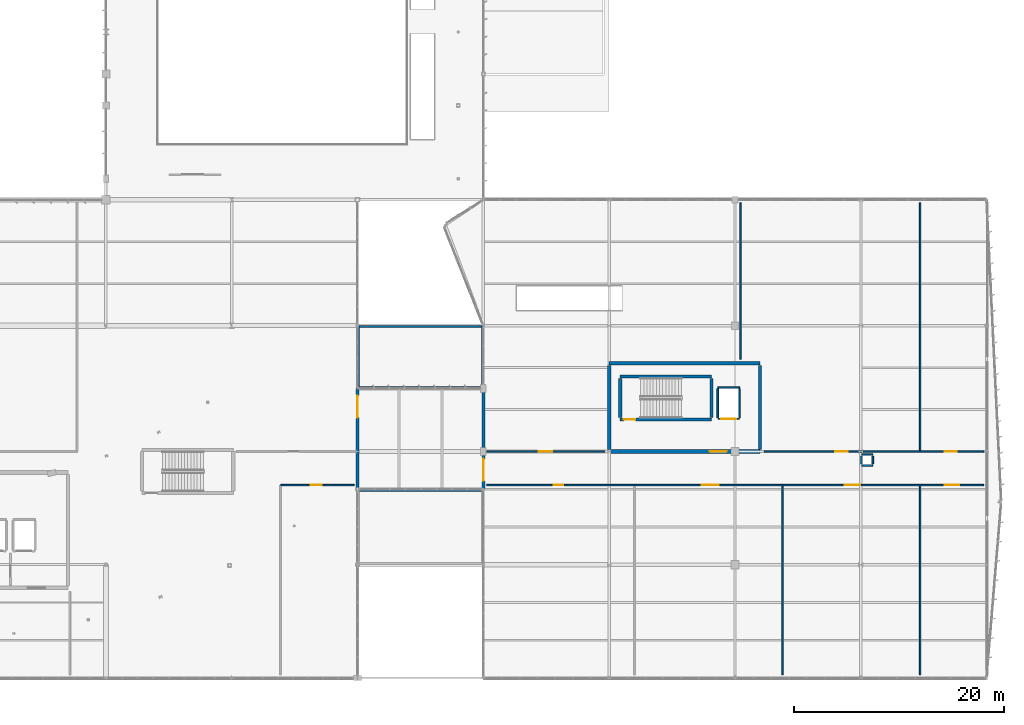
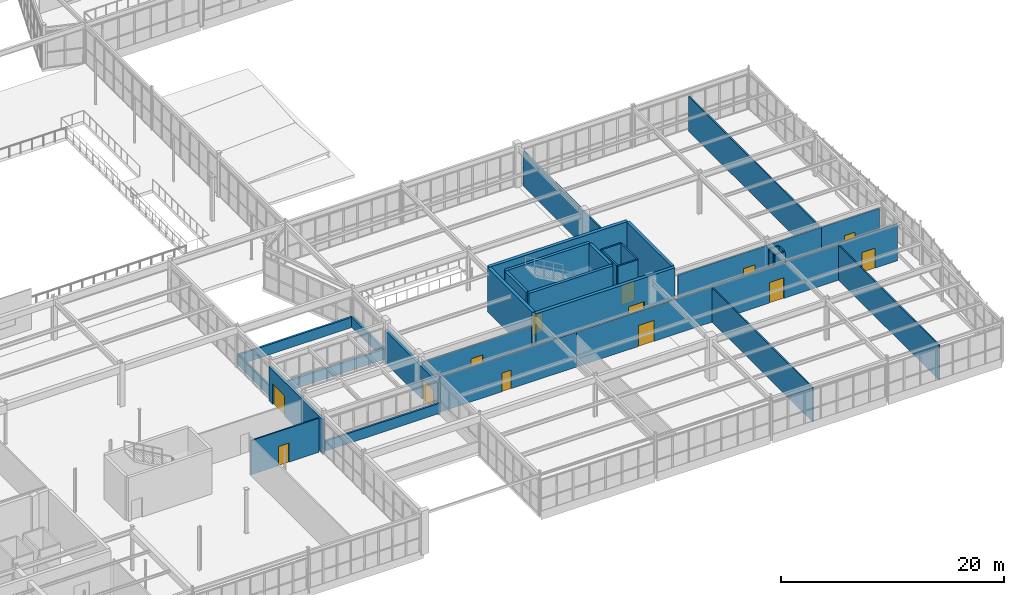
# One storey, part 197 of 226: 35 walls, 13 doors, 13 openings.
"""IFC4 building model written with IfcOpenShell, lengths in metres."""

from ifc_helpers import new_model, si_unit, direction, frame, frame_2d, origin, place, context, subcontext, project, spatial, rectangle, extrude, material, layer, layer_set, type_object, element, fill, save


model = new_model("IFC4")

# Units and contexts
model_context = context("Model", 3, precision=1e-05, world=origin(), true_north=direction((0.0, 1.0)))
body_context = subcontext(model_context, "Body", "Model", "MODEL_VIEW")
ifc_project = project(units=[si_unit("LENGTHUNIT", "METRE"), si_unit("AREAUNIT", "SQUARE_METRE"), si_unit("VOLUMEUNIT", "CUBIC_METRE"), si_unit("PLANEANGLEUNIT", "RADIAN"), si_unit("MASSUNIT", "GRAM", prefix="KILO")], contexts=[model_context])

# Site, building, storey
site_placement = place(None, origin())
site = spatial("IfcSite", under=ifc_project, at=site_placement, CompositionType="ELEMENT")
building_placement = place(site_placement, origin())
building = spatial("IfcBuilding", under=site, at=building_placement, Name="Tarnwether General Hospital", CompositionType="ELEMENT")
storey_placement = place(building_placement, frame((0.0, 0.0, 4.800048828125)))
storey = spatial("IfcBuildingStorey", under=building, at=storey_placement, Name="L01", CompositionType="ELEMENT", Elevation=4.800048828125)

# Wall, opening, door
ifc_material_1 = material(Name="Precast concrete 40 MPa", Category="concrete")
ifc_layer_1 = layer(ifc_material_1, 0.280029296875)
ifc_layer_set_1 = layer_set([ifc_layer_1], Name="Precast concrete 40 MPa")
wall_type_1 = type_object("IfcWallType", Name="WL-EX280", PredefinedType="STANDARD", material=ifc_layer_set_1)
wall_1_placement = place(storey_placement, frame((132.0, 27.60009765625, 0.0), z_axis=(0.0, 0.0, 1.0), x_axis=(0.0, -1.0, 0.0)))
wall_1 = element("IfcWall", 1, at=wall_1_placement, inside=storey, type_object=wall_type_1, Name="L01 Bridge West Threshold EW-L01-0309", PredefinedType="STANDARD", context=body_context, shape_type="SweptSolid", body=[
    extrude(rectangle(XDim=9.60009765625, YDim=0.280029296875, at=frame_2d((4.800048828125, 0.0))), origin(), (0.0, 0.0, 1.0), 3.738037109375),
])
opening_1_placement = place(wall_1_placement, frame((0.680908203125, 0.0, 0.0)))
opening_1 = element("IfcOpeningElement", 2, at=opening_1_placement, cuts=wall_1, Name="Opening ED-09", PredefinedType="OPENING", context=body_context, shape_type="SweptSolid", body=[
    extrude(rectangle(XDim=2.10009765625, YDim=2.25, at=frame_2d((1.050048828125, 1.125))), frame((0.0, 0.14990234375, 0.0), z_axis=(0.0, -1.0, 0.0), x_axis=(1.0, 0.0, 0.0)), (0.0, 0.0, 1.0), 0.300048828125),
])
ifc_material_2 = material(Name="Anodised aluminium", Category="aluminium")
door_type_1 = type_object("IfcDoorType", Name="DR-HP01", OperationType="NOTDEFINED", PredefinedType="DOOR", material=ifc_material_2)
door_1_placement = place(opening_1_placement, origin())
door_1 = element("IfcDoor", 3, at=door_1_placement, inside=storey, type_object=door_type_1, Name="L01 Bridge West Door ED-L01-0037", OperationType="DOUBLE_DOOR_SINGLE_SWING", OverallHeight=2.25, OverallWidth=2.10009765625, PredefinedType="DOOR", context=body_context, shape_type="SweptSolid", body=[
    extrude(rectangle(XDim=2.10009765625, YDim=2.25, at=frame_2d((1.050048828125, 1.125))), frame((0.0, 0.02490234375, 0.0), z_axis=(0.0, -1.0, 0.0), x_axis=(1.0, 0.0, 0.0)), (0.0, 0.0, 1.0), 0.050048828125),
])
fill(opening_1, door_1)

wall_2_placement = place(storey_placement, frame((144.0, 18.0, 0.0), z_axis=(0.0, 0.0, 1.0), x_axis=(0.0, 1.0, 0.0)))
wall_2 = element("IfcWall", 4, at=wall_2_placement, inside=storey, type_object=wall_type_1, Name="L01 Bridge East Threshold EW-L01-0310", PredefinedType="STANDARD", context=body_context, shape_type="SweptSolid", body=[
    extrude(rectangle(XDim=9.60009765625, YDim=0.280029296875, at=frame_2d((4.800048828125, 0.0))), origin(), (0.0, 0.0, 1.0), 3.530029296875),
])
opening_2_placement = place(wall_2_placement, frame((0.800048828125, 0.0, 0.0)))
opening_2 = element("IfcOpeningElement", 5, at=opening_2_placement, cuts=wall_2, Name="Opening ED-09", PredefinedType="OPENING", context=body_context, shape_type="SweptSolid", body=[
    extrude(rectangle(XDim=2.10009765625, YDim=2.25, at=frame_2d((1.050048828125, 1.125))), frame((0.0, 0.14990234375, 0.0), z_axis=(0.0, -1.0, 0.0), x_axis=(1.0, 0.0, 0.0)), (0.0, 0.0, 1.0), 0.300048828125),
])
door_2_placement = place(opening_2_placement, origin())
door_2 = element("IfcDoor", 6, at=door_2_placement, inside=storey, type_object=door_type_1, Name="L01 Bridge East Door ED-L01-0038", OperationType="DOUBLE_DOOR_SINGLE_SWING", OverallHeight=2.25, OverallWidth=2.10009765625, PredefinedType="DOOR", context=body_context, shape_type="SweptSolid", body=[
    extrude(rectangle(XDim=2.10009765625, YDim=2.25, at=frame_2d((1.050048828125, 1.125))), frame((0.0, 0.02490234375, 0.0), z_axis=(0.0, -1.0, 0.0), x_axis=(1.0, 0.0, 0.0)), (0.0, 0.0, 1.0), 0.050048828125),
])
fill(opening_2, door_2)

# Walls
ifc_material_3 = material(Name="Precast concrete 40 MPa", Category="concrete")
ifc_layer_2 = layer(ifc_material_3, 0.199951171875)
ifc_layer_set_2 = layer_set([ifc_layer_2], Name="Precast concrete 40 MPa")
wall_type_2 = type_object("IfcWallType", Name="WL-PR200", PredefinedType="PARAPET", material=ifc_layer_set_2)
for number, where, z_axis, x_axis, name in (
    (7, (132.10009765625, 17.89990234375, 0.31005859375), (0.0, 0.0, 1.0), (1.0, 0.0, 0.0), "Flat Roof Parapet EW-L01-0331"),
    (8, (143.89990234375, 27.699951171875, 0.31005859375), (0.0, 0.0, 1.0), (-1.0, 0.0, 0.0), "Flat Roof Parapet EW-L01-0333"),
):
    element("IfcWall", number, at=place(storey_placement, frame(where, z_axis=z_axis, x_axis=x_axis)), inside=storey, type_object=wall_type_2, Name=name, PredefinedType="PARAPET", context=body_context, shape_type="SweptSolid", body=[
        extrude(rectangle(XDim=11.7998046875, YDim=0.199951171875, at=frame_2d((5.89990234375, 0.0))), origin(), (0.0, 0.0, 1.0), 1.119873046875),
    ])
wall_3_placement = place(storey_placement, frame((132.10009765625, 27.699951171875, 0.31005859375), z_axis=(0.0, 0.0, 1.0), x_axis=(0.0, 1.0, 0.0)))
element("IfcWall", 9, at=wall_3_placement, inside=storey, type_object=wall_type_2, Name="Flat Roof Parapet EW-L01-0334", PredefinedType="PARAPET", context=body_context, shape_type="SweptSolid", body=[
    extrude(rectangle(XDim=5.800048828125, YDim=0.199951171875, at=frame_2d((2.89990234375, 0.0))), origin(), (0.0, 0.0, 1.0), 1.119873046875),
])
wall_4_placement = place(storey_placement, frame((132.10009765625, 33.5, 0.31005859375), z_axis=(0.0, 0.0, 1.0), x_axis=(1.0, 0.0, 0.0)))
element("IfcWall", 10, at=wall_4_placement, inside=storey, type_object=wall_type_2, Name="Flat Roof Parapet EW-L01-0335", PredefinedType="PARAPET", context=body_context, shape_type="SweptSolid", body=[
    extrude(rectangle(XDim=11.7998046875, YDim=0.199951171875, at=frame_2d((5.89990234375, 0.0))), origin(), (0.0, 0.0, 1.0), 1.119873046875),
])
wall_5_placement = place(storey_placement, frame((143.89990234375, 33.5, 0.31005859375), z_axis=(0.0, 0.0, 1.0), x_axis=(0.0, -1.0, 0.0)))
element("IfcWall", 11, at=wall_5_placement, inside=storey, type_object=wall_type_2, Name="Flat Roof Parapet EW-L01-0336", PredefinedType="PARAPET", context=body_context, shape_type="SweptSolid", body=[
    extrude(rectangle(XDim=5.800048828125, YDim=0.199951171875, at=frame_2d((2.89990234375, 0.0))), origin(), (0.0, 0.0, 1.0), 1.119873046875),
])

# Wall, opening, door
ifc_material_4 = material(Name="Gypsum plasterboard")
ifc_layer_3 = layer(ifc_material_4, 0.139892578125)
ifc_layer_set_3 = layer_set([ifc_layer_3], Name="Gypsum plasterboard")
wall_type_3 = type_object("IfcWallType", Name="WL-PT140", PredefinedType="PARTITIONING", material=ifc_layer_set_3)
wall_6_placement = place(storey_placement, frame((124.666015625, 18.39990234375, 0.0), z_axis=(0.0, 0.0, 1.0), x_axis=(1.0, 0.0, 0.0)))
wall_6 = element("IfcWall", 12, at=wall_6_placement, inside=storey, type_object=wall_type_3, Name="Interior Partition PT-L01-0210", PredefinedType="PARTITIONING", context=body_context, shape_type="SweptSolid", body=[
    extrude(rectangle(XDim=7.033935546875, YDim=0.139892578125, at=frame_2d((3.51708984375, 0.0))), origin(), (0.0, 0.0, 1.0), 3.738037109375),
])
opening_3_placement = place(wall_6_placement, frame((2.866943359375, 0.0, 0.0)))
opening_3 = element("IfcOpeningElement", 13, at=opening_3_placement, cuts=wall_6, Name="Opening D-08", PredefinedType="OPENING", context=body_context, shape_type="SweptSolid", body=[
    extrude(rectangle(XDim=1.06005859375, YDim=2.10009765625, at=frame_2d((0.530029296875, 1.050048828125))), frame((0.0, 0.080078125, 0.0), z_axis=(0.0, -1.0, 0.0), x_axis=(1.0, 0.0, 0.0)), (0.0, 0.0, 1.0), 0.159912109375),
])
ifc_material_5 = material(Name="Anodised aluminium", Category="aluminium")
door_type_2 = type_object("IfcDoorType", Name="DR-IN08", OperationType="NOTDEFINED", PredefinedType="DOOR", material=ifc_material_5)
door_3_placement = place(opening_3_placement, origin())
door_3 = element("IfcDoor", 14, at=door_3_placement, inside=storey, type_object=door_type_2, Name="Interior Door DR-L01-0115", OperationType="SINGLE_SWING_LEFT", OverallHeight=2.10009765625, OverallWidth=1.06005859375, PredefinedType="DOOR", context=body_context, shape_type="SweptSolid", body=[
    extrude(rectangle(XDim=1.06005859375, YDim=2.10009765625, at=frame_2d((0.530029296875, 1.050048828125))), frame((0.0, 0.02490234375, 0.0), z_axis=(0.0, -1.0, 0.0), x_axis=(1.0, 0.0, 0.0)), (0.0, 0.0, 1.0), 0.050048828125),
])
fill(opening_3, door_3)

wall_7_placement = place(storey_placement, frame((144.300048828125, 18.39990234375, 0.0), z_axis=(0.0, 0.0, 1.0), x_axis=(1.0, 0.0, 0.0)))
wall_7 = element("IfcWall", 15, at=wall_7_placement, inside=storey, type_object=wall_type_3, Name="Interior Partition PT-L01-0216", PredefinedType="PARTITIONING", context=body_context, shape_type="SweptSolid", body=[
    extrude(rectangle(XDim=14.118896484375, YDim=0.139892578125, at=frame_2d((7.0595703125, 0.0))), origin(), (0.0, 0.0, 1.0), 3.81787109375),
])
opening_4_placement = place(wall_7_placement, frame((6.409912109375, 0.0, 0.0)))
opening_4 = element("IfcOpeningElement", 16, at=opening_4_placement, cuts=wall_7, Name="Opening D-12", PredefinedType="OPENING", context=body_context, shape_type="SweptSolid", body=[
    extrude(rectangle(XDim=0.919921875, YDim=2.0400390625, at=frame_2d((0.4599609375, 1.02001953125))), frame((0.0, 0.080078125, 0.0), z_axis=(0.0, -1.0, 0.0), x_axis=(1.0, 0.0, 0.0)), (0.0, 0.0, 1.0), 0.159912109375),
])
ifc_material_6 = material(Name="Anodised aluminium", Category="aluminium")
door_type_3 = type_object("IfcDoorType", Name="DR-IN12", OperationType="NOTDEFINED", PredefinedType="DOOR", material=ifc_material_6)
door_4_placement = place(opening_4_placement, origin())
door_4 = element("IfcDoor", 17, at=door_4_placement, inside=storey, type_object=door_type_3, Name="Interior Door DR-L01-0119", OperationType="SINGLE_SWING_LEFT", OverallHeight=2.0400390625, OverallWidth=0.919921875, PredefinedType="DOOR", context=body_context, shape_type="SweptSolid", body=[
    extrude(rectangle(XDim=0.919921875, YDim=2.0400390625, at=frame_2d((0.4599609375, 1.02001953125))), frame((0.0, 0.02490234375, 0.0), z_axis=(0.0, -1.0, 0.0), x_axis=(1.0, 0.0, 0.0)), (0.0, 0.0, 1.0), 0.050048828125),
])
fill(opening_4, door_4)

wall_8_placement = place(storey_placement, frame((158.4189453125, 18.39990234375, 0.0), z_axis=(0.0, 0.0, 1.0), x_axis=(1.0, 0.0, 0.0)))
wall_8 = element("IfcWall", 18, at=wall_8_placement, inside=storey, type_object=wall_type_3, Name="Interior Partition PT-L01-0218", PredefinedType="PARTITIONING", context=body_context, shape_type="SweptSolid", body=[
    extrude(rectangle(XDim=14.119140625, YDim=0.139892578125, at=frame_2d((7.0595703125, 0.0))), origin(), (0.0, 0.0, 1.0), 3.827880859375),
])
opening_5_placement = place(wall_8_placement, frame((6.409912109375, 0.0, 0.0)))
opening_5 = element("IfcOpeningElement", 19, at=opening_5_placement, cuts=wall_8, Name="Opening SD-02", PredefinedType="OPENING", context=body_context, shape_type="SweptSolid", body=[
    extrude(rectangle(XDim=1.6201171875, YDim=2.300048828125, at=frame_2d((0.81005859375, 1.14990234375))), frame((0.0, 0.080078125, 0.0), z_axis=(0.0, -1.0, 0.0), x_axis=(1.0, 0.0, 0.0)), (0.0, 0.0, 1.0), 0.159912109375),
])
ifc_material_7 = material(Name="Anodised aluminium", Category="aluminium")
door_type_4 = type_object("IfcDoorType", Name="DR-OR02", OperationType="NOTDEFINED", PredefinedType="DOOR", material=ifc_material_7)
door_5_placement = place(opening_5_placement, origin())
door_5 = element("IfcDoor", 20, at=door_5_placement, inside=storey, type_object=door_type_4, Name="Interior Door DR-L01-0120", OperationType="SLIDING_TO_RIGHT", OverallHeight=2.300048828125, OverallWidth=1.6201171875, PredefinedType="DOOR", context=body_context, shape_type="SweptSolid", body=[
    extrude(rectangle(XDim=1.6201171875, YDim=2.300048828125, at=frame_2d((0.81005859375, 1.14990234375))), frame((0.0, 0.02490234375, 0.0), z_axis=(0.0, -1.0, 0.0), x_axis=(1.0, 0.0, 0.0)), (0.0, 0.0, 1.0), 0.050048828125),
])
fill(opening_5, door_5)

# Wall
wall_9_placement = place(storey_placement, frame((172.5380859375, 0.300048828125, 0.0), z_axis=(0.0, 0.0, 1.0), x_axis=(0.0, 1.0, 0.0)))
element("IfcWall", 21, at=wall_9_placement, inside=storey, type_object=wall_type_3, Name="Interior Partition PT-L01-0219", PredefinedType="PARTITIONING", context=body_context, shape_type="SweptSolid", body=[
    extrude(rectangle(XDim=18.099853515625, YDim=0.139892578125, at=frame_2d((9.0498046875, 0.0))), origin(), (0.0, 0.0, 1.0), 3.738037109375),
])

# Wall, opening, door
wall_10_placement = place(storey_placement, frame((172.5380859375, 18.39990234375, 0.0), z_axis=(0.0, 0.0, 1.0), x_axis=(1.0, 0.0, 0.0)))
wall_10 = element("IfcWall", 22, at=wall_10_placement, inside=storey, type_object=wall_type_3, Name="Interior Partition PT-L01-0220", PredefinedType="PARTITIONING", context=body_context, shape_type="SweptSolid", body=[
    extrude(rectangle(XDim=13.11083984375, YDim=0.139892578125, at=frame_2d((6.555419921875, 0.0))), origin(), (0.0, 0.0, 1.0), 3.89697265625),
])
opening_6_placement = place(wall_10_placement, frame((5.905029296875, 0.0, 0.0)))
opening_6 = element("IfcOpeningElement", 23, at=opening_6_placement, cuts=wall_10, Name="Opening SD-03", PredefinedType="OPENING", context=body_context, shape_type="SweptSolid", body=[
    extrude(rectangle(XDim=1.47998046875, YDim=2.260009765625, at=frame_2d((0.739990234375, 1.1298828125))), frame((0.0, 0.080078125, 0.0), z_axis=(0.0, -1.0, 0.0), x_axis=(1.0, 0.0, 0.0)), (0.0, 0.0, 1.0), 0.159912109375),
])
ifc_material_8 = material(Name="Anodised aluminium", Category="aluminium")
door_type_5 = type_object("IfcDoorType", Name="DR-OR03", OperationType="NOTDEFINED", PredefinedType="DOOR", material=ifc_material_8)
door_6_placement = place(opening_6_placement, origin())
door_6 = element("IfcDoor", 24, at=door_6_placement, inside=storey, type_object=door_type_5, Name="Interior Door DR-L01-0121", OperationType="SLIDING_TO_LEFT", OverallHeight=2.260009765625, OverallWidth=1.47998046875, PredefinedType="DOOR", context=body_context, shape_type="SweptSolid", body=[
    extrude(rectangle(XDim=1.47998046875, YDim=2.260009765625, at=frame_2d((0.739990234375, 1.1298828125))), frame((0.0, 0.02490234375, 0.0), z_axis=(0.0, -1.0, 0.0), x_axis=(1.0, 0.0, 0.0)), (0.0, 0.0, 1.0), 0.050048828125),
])
fill(opening_6, door_6)

# Wall
wall_11_placement = place(storey_placement, frame((185.64892578125, 0.300048828125, 0.0), z_axis=(0.0, 0.0, 1.0), x_axis=(0.0, 1.0, 0.0)))
element("IfcWall", 25, at=wall_11_placement, inside=storey, type_object=wall_type_3, Name="Interior Partition PT-L01-0221", PredefinedType="PARTITIONING", context=body_context, shape_type="SweptSolid", body=[
    extrude(rectangle(XDim=18.099853515625, YDim=0.139892578125, at=frame_2d((9.0498046875, 0.0))), origin(), (0.0, 0.0, 1.0), 3.81787109375),
])

# Wall, opening, door
wall_12_placement = place(storey_placement, frame((185.64892578125, 18.39990234375, 0.0), z_axis=(0.0, 0.0, 1.0), x_axis=(1.0, 0.0, 0.0)))
wall_12 = element("IfcWall", 26, at=wall_12_placement, inside=storey, type_object=wall_type_3, Name="Interior Partition PT-L01-0222", PredefinedType="PARTITIONING", context=body_context, shape_type="SweptSolid", body=[
    extrude(rectangle(XDim=6.051025390625, YDim=0.139892578125, at=frame_2d((3.025390625, 0.0))), origin(), (0.0, 0.0, 1.0), 4.02685546875),
])
opening_7_placement = place(wall_12_placement, frame((2.3759765625, 0.0, 0.0)))
opening_7 = element("IfcOpeningElement", 27, at=opening_7_placement, cuts=wall_12, Name="Opening D-02", PredefinedType="OPENING", context=body_context, shape_type="SweptSolid", body=[
    extrude(rectangle(XDim=1.360107421875, YDim=2.179931640625, at=frame_2d((0.68017578125, 1.08984375))), frame((0.0, 0.080078125, 0.0), z_axis=(0.0, -1.0, 0.0), x_axis=(1.0, 0.0, 0.0)), (0.0, 0.0, 1.0), 0.159912109375),
])
ifc_material_9 = material(Name="Anodised aluminium", Category="aluminium")
door_type_6 = type_object("IfcDoorType", Name="DR-IN02", OperationType="NOTDEFINED", PredefinedType="DOOR", material=ifc_material_9)
door_7_placement = place(opening_7_placement, origin())
door_7 = element("IfcDoor", 28, at=door_7_placement, inside=storey, type_object=door_type_6, Name="Interior Door DR-L01-0122", OperationType="SINGLE_SWING_RIGHT", OverallHeight=2.179931640625, OverallWidth=1.360107421875, PredefinedType="DOOR", context=body_context, shape_type="SweptSolid", body=[
    extrude(rectangle(XDim=1.360107421875, YDim=2.179931640625, at=frame_2d((0.68017578125, 1.08984375))), frame((0.0, 0.02490234375, 0.0), z_axis=(0.0, -1.0, 0.0), x_axis=(1.0, 0.0, 0.0)), (0.0, 0.0, 1.0), 0.050048828125),
])
fill(opening_7, door_7)

wall_13_placement = place(storey_placement, frame((144.300048828125, 21.60009765625, 0.0), z_axis=(0.0, 0.0, 1.0), x_axis=(1.0, 0.0, 0.0)))
wall_13 = element("IfcWall", 29, at=wall_13_placement, inside=storey, type_object=wall_type_3, Name="Interior Partition PT-L01-0223", PredefinedType="PARTITIONING", context=body_context, shape_type="SweptSolid", body=[
    extrude(rectangle(XDim=11.300048828125, YDim=0.139892578125, at=frame_2d((5.64990234375, 0.0))), origin(), (0.0, 0.0, 1.0), 3.530029296875),
])
opening_8_placement = place(wall_13_placement, frame((5.0, 0.0, 0.0)))
opening_8 = element("IfcOpeningElement", 30, at=opening_8_placement, cuts=wall_13, Name="Opening D-04", PredefinedType="OPENING", context=body_context, shape_type="SweptSolid", body=[
    extrude(rectangle(XDim=1.260009765625, YDim=2.139892578125, at=frame_2d((0.6298828125, 1.06982421875))), frame((0.0, 0.080078125, 0.0), z_axis=(0.0, -1.0, 0.0), x_axis=(1.0, 0.0, 0.0)), (0.0, 0.0, 1.0), 0.159912109375),
])
ifc_material_10 = material(Name="Anodised aluminium", Category="aluminium")
door_type_7 = type_object("IfcDoorType", Name="DR-IN04", OperationType="NOTDEFINED", PredefinedType="DOOR", material=ifc_material_10)
door_8_placement = place(opening_8_placement, origin())
door_8 = element("IfcDoor", 31, at=door_8_placement, inside=storey, type_object=door_type_7, Name="Interior Door DR-L01-0123", OperationType="SINGLE_SWING_LEFT", OverallHeight=2.139892578125, OverallWidth=1.260009765625, PredefinedType="DOOR", context=body_context, shape_type="SweptSolid", body=[
    extrude(rectangle(XDim=1.260009765625, YDim=2.139892578125, at=frame_2d((0.6298828125, 1.06982421875))), frame((0.0, 0.02490234375, 0.0), z_axis=(0.0, -1.0, 0.0), x_axis=(1.0, 0.0, 0.0)), (0.0, 0.0, 1.0), 0.050048828125),
])
fill(opening_8, door_8)

# Wall
wall_14_placement = place(storey_placement, frame((168.50390625, 30.39990234375, 0.0), z_axis=(0.0, 0.0, 1.0), x_axis=(0.0, 1.0, 0.0)))
element("IfcWall", 32, at=wall_14_placement, inside=storey, type_object=wall_type_3, Name="Interior Partition PT-L01-0224", PredefinedType="PARTITIONING", context=body_context, shape_type="SweptSolid", body=[
    extrude(rectangle(XDim=14.900146484375, YDim=0.139892578125, at=frame_2d((7.4501953125, 0.0))), origin(), (0.0, 0.0, 1.0), 3.822998046875),
])

# Wall, opening, door
wall_15_placement = place(storey_placement, frame((170.800048828125, 21.60009765625, 0.0), z_axis=(0.0, 0.0, 1.0), x_axis=(1.0, 0.0, 0.0)))
wall_15 = element("IfcWall", 33, at=wall_15_placement, inside=storey, type_object=wall_type_3, Name="Interior Partition PT-L01-0225", PredefinedType="PARTITIONING", context=body_context, shape_type="SweptSolid", body=[
    extrude(rectangle(XDim=14.848876953125, YDim=0.139892578125, at=frame_2d((7.42431640625, 0.0))), origin(), (0.0, 0.0, 1.0), 3.81787109375),
])
opening_9_placement = place(wall_15_placement, frame((6.77392578125, 0.0, 0.0)))
opening_9 = element("IfcOpeningElement", 34, at=opening_9_placement, cuts=wall_15, Name="Opening D-05", PredefinedType="OPENING", context=body_context, shape_type="SweptSolid", body=[
    extrude(rectangle(XDim=1.199951171875, YDim=2.1201171875, at=frame_2d((0.60009765625, 1.06005859375))), frame((0.0, 0.080078125, 0.0), z_axis=(0.0, -1.0, 0.0), x_axis=(1.0, 0.0, 0.0)), (0.0, 0.0, 1.0), 0.159912109375),
])
ifc_material_11 = material(Name="Anodised aluminium", Category="aluminium")
door_type_8 = type_object("IfcDoorType", Name="DR-IN05", OperationType="NOTDEFINED", PredefinedType="DOOR", material=ifc_material_11)
door_9_placement = place(opening_9_placement, origin())
door_9 = element("IfcDoor", 35, at=door_9_placement, inside=storey, type_object=door_type_8, Name="Interior Door DR-L01-0124", OperationType="SINGLE_SWING_RIGHT", OverallHeight=2.1201171875, OverallWidth=1.199951171875, PredefinedType="DOOR", context=body_context, shape_type="SweptSolid", body=[
    extrude(rectangle(XDim=1.199951171875, YDim=2.1201171875, at=frame_2d((0.60009765625, 1.06005859375))), frame((0.0, 0.02490234375, 0.0), z_axis=(0.0, -1.0, 0.0), x_axis=(1.0, 0.0, 0.0)), (0.0, 0.0, 1.0), 0.050048828125),
])
fill(opening_9, door_9)

# Wall
wall_16_placement = place(storey_placement, frame((185.64892578125, 21.60009765625, 0.0), z_axis=(0.0, 0.0, 1.0), x_axis=(0.0, 1.0, 0.0)))
element("IfcWall", 36, at=wall_16_placement, inside=storey, type_object=wall_type_3, Name="Interior Partition PT-L01-0226", PredefinedType="PARTITIONING", context=body_context, shape_type="SweptSolid", body=[
    extrude(rectangle(XDim=23.699951171875, YDim=0.139892578125, at=frame_2d((11.85009765625, 0.0))), origin(), (0.0, 0.0, 1.0), 3.822998046875),
])

# Wall, opening, door
wall_17_placement = place(storey_placement, frame((185.64892578125, 21.60009765625, 0.0), z_axis=(0.0, 0.0, 1.0), x_axis=(1.0, 0.0, 0.0)))
wall_17 = element("IfcWall", 37, at=wall_17_placement, inside=storey, type_object=wall_type_3, Name="Interior Partition PT-L01-0227", PredefinedType="PARTITIONING", context=body_context, shape_type="SweptSolid", body=[
    extrude(rectangle(XDim=6.051025390625, YDim=0.139892578125, at=frame_2d((3.025390625, 0.0))), origin(), (0.0, 0.0, 1.0), 3.822998046875),
])
opening_10_placement = place(wall_17_placement, frame((2.3759765625, 0.0, 0.0)))
opening_10 = element("IfcOpeningElement", 38, at=opening_10_placement, cuts=wall_17, Name="Opening D-07", PredefinedType="OPENING", context=body_context, shape_type="SweptSolid", body=[
    extrude(rectangle(XDim=1.1201171875, YDim=2.080078125, at=frame_2d((0.56005859375, 1.0400390625))), frame((0.0, 0.080078125, 0.0), z_axis=(0.0, -1.0, 0.0), x_axis=(1.0, 0.0, 0.0)), (0.0, 0.0, 1.0), 0.159912109375),
])
ifc_material_12 = material(Name="Anodised aluminium", Category="aluminium")
door_type_9 = type_object("IfcDoorType", Name="DR-IN07", OperationType="NOTDEFINED", PredefinedType="DOOR", material=ifc_material_12)
door_10_placement = place(opening_10_placement, origin())
door_10 = element("IfcDoor", 39, at=door_10_placement, inside=storey, type_object=door_type_9, Name="Interior Door DR-L01-0125", OperationType="SINGLE_SWING_LEFT", OverallHeight=2.080078125, OverallWidth=1.1201171875, PredefinedType="DOOR", context=body_context, shape_type="SweptSolid", body=[
    extrude(rectangle(XDim=1.1201171875, YDim=2.080078125, at=frame_2d((0.56005859375, 1.0400390625))), frame((0.0, 0.02490234375, 0.0), z_axis=(0.0, -1.0, 0.0), x_axis=(1.0, 0.0, 0.0)), (0.0, 0.0, 1.0), 0.050048828125),
])
fill(opening_10, door_10)

# Walls
ifc_material_13 = material(Name="Gypsum plasterboard")
ifc_layer_4 = layer(ifc_material_13, 0.159912109375)
ifc_layer_set_4 = layer_set([ifc_layer_4], Name="Gypsum plasterboard")
wall_type_4 = type_object("IfcWallType", Name="WL-PT160", PredefinedType="PARTITIONING", material=ifc_layer_set_4)
for number, where, z_axis, x_axis, name in (
    (40, (180.070068359375, 20.260009765625, 0.0), (0.0, 0.0, 1.0), (1.0, 0.0, 0.0), "Service Riser Enclosure SL-L01-V6S2 S"),
    (41, (181.1298828125, 21.320068359375, 0.0), (0.0, 0.0, 1.0), (-1.0, 0.0, 0.0), "Service Riser Enclosure SL-L01-V6S2 N"),
):
    element("IfcWall", number, at=place(storey_placement, frame(where, z_axis=z_axis, x_axis=x_axis)), inside=storey, type_object=wall_type_4, Name=name, PredefinedType="PARTITIONING", context=body_context, shape_type="SweptSolid", body=[
        extrude(rectangle(XDim=1.059814453125, YDim=0.159912109375, at=frame_2d((0.52978515625, 0.0))), origin(), (0.0, 0.0, 1.0), 3.550048828125),
    ])
for number, where, z_axis, x_axis, name in (
    (42, (180.070068359375, 21.159912109375, 0.0), (0.0, 0.0, 1.0), (0.0, -1.0, 0.0), "Service Riser Enclosure SL-L01-V6S2 W"),
    (43, (181.1298828125, 20.419921875, 0.0), (0.0, 0.0, 1.0), (0.0, 1.0, 0.0), "Service Riser Enclosure SL-L01-V6S2 E"),
):
    element("IfcWall", number, at=place(storey_placement, frame(where, z_axis=z_axis, x_axis=x_axis)), inside=storey, type_object=wall_type_4, Name=name, PredefinedType="PARTITIONING", context=body_context, shape_type="SweptSolid", body=[
        extrude(rectangle(XDim=0.739990234375, YDim=0.159912109375, at=frame_2d((0.3701171875, 0.0))), origin(), (0.0, 0.0, 1.0), 3.550048828125),
    ])

# Wall, opening, door
wall_18_placement = place(storey_placement, frame((166.360107421875, 24.7099609375, 0.0), z_axis=(0.0, 0.0, 1.0), x_axis=(1.0, 0.0, 0.0)))
wall_18 = element("IfcWall", 44, at=wall_18_placement, inside=storey, type_object=wall_type_4, Name="Lift L-05 Shaft Wall LSH-L-05-L01-S", PredefinedType="PARTITIONING", context=body_context, shape_type="SweptSolid", body=[
    extrude(rectangle(XDim=2.079833984375, YDim=0.159912109375, at=frame_2d((1.0400390625, 0.0))), origin(), (0.0, 0.0, 1.0), 4.429931640625),
])
opening_11_placement = place(wall_18_placement, frame((0.340087890625, 0.0, 0.0)))
opening_11 = element("IfcOpeningElement", 45, at=opening_11_placement, cuts=wall_18, Name="Opening LD-01", PredefinedType="OPENING", context=body_context, shape_type="SweptSolid", body=[
    extrude(rectangle(XDim=1.39990234375, YDim=2.199951171875, at=frame_2d((0.699951171875, 1.10009765625))), frame((0.0, 0.08984375, 0.0), z_axis=(0.0, -1.0, 0.0), x_axis=(1.0, 0.0, 0.0)), (0.0, 0.0, 1.0), 0.179931640625),
])
ifc_material_14 = material(Name="Anodised aluminium", Category="aluminium")
door_type_10 = type_object("IfcDoorType", Name="DR-LD01", OperationType="NOTDEFINED", PredefinedType="DOOR", material=ifc_material_14)
door_11_placement = place(opening_11_placement, origin())
door_11 = element("IfcDoor", 46, at=door_11_placement, inside=storey, type_object=door_type_10, Name="Lift L-05 Sliding Landing Door L01", OperationType="SLIDING_TO_RIGHT", OverallHeight=2.199951171875, OverallWidth=1.39990234375, PredefinedType="DOOR", context=body_context, shape_type="SweptSolid", body=[
    extrude(rectangle(XDim=1.39990234375, YDim=2.199951171875, at=frame_2d((0.699951171875, 1.10009765625))), frame((0.0, 0.02490234375, 0.0), z_axis=(0.0, -1.0, 0.0), x_axis=(1.0, 0.0, 0.0)), (0.0, 0.0, 1.0), 0.050048828125),
])
fill(opening_11, door_11)

# Walls
wall_19_placement = place(storey_placement, frame((168.43994140625, 27.68994140625, 0.0), z_axis=(0.0, 0.0, 1.0), x_axis=(-1.0, 0.0, 0.0)))
element("IfcWall", 47, at=wall_19_placement, inside=storey, type_object=wall_type_4, Name="Lift L-05 Shaft Wall LSH-L-05-L01-N", PredefinedType="PARTITIONING", context=body_context, shape_type="SweptSolid", body=[
    extrude(rectangle(XDim=2.079833984375, YDim=0.159912109375, at=frame_2d((1.0400390625, 0.0))), origin(), (0.0, 0.0, 1.0), 4.429931640625),
])
for number, where, z_axis, x_axis, name in (
    (48, (166.360107421875, 27.590087890625, 0.0), (0.0, 0.0, 1.0), (0.0, -1.0, 0.0), "Lift L-05 Shaft Wall LSH-L-05-L01-W"),
    (49, (168.43994140625, 24.81005859375, 0.0), (0.0, 0.0, 1.0), (0.0, 1.0, 0.0), "Lift L-05 Shaft Wall LSH-L-05-L01-E"),
):
    element("IfcWall", number, at=place(storey_placement, frame(where, z_axis=z_axis, x_axis=x_axis)), inside=storey, type_object=wall_type_4, Name=name, PredefinedType="PARTITIONING", context=body_context, shape_type="SweptSolid", body=[
        extrude(rectangle(XDim=2.780029296875, YDim=0.159912109375, at=frame_2d((1.39013671875, 0.0))), origin(), (0.0, 0.0, 1.0), 4.429931640625),
    ])
ifc_material_15 = material(Name="Concrete 50 MPa", Category="concrete")
ifc_layer_5 = layer(ifc_material_15, 0.300048828125)
ifc_layer_set_5 = layer_set([ifc_layer_5], Name="Concrete 50 MPa")
wall_type_5 = type_object("IfcWallType", Name="WL-SW300", PredefinedType="SHEAR", material=ifc_layer_set_5)
wall_20_placement = place(storey_placement, frame((170.39990234375, 29.800048828125, 0.0), z_axis=(0.0, 0.0, 1.0), x_axis=(0.0, -1.0, 0.0)))
element("IfcWall", 50, at=wall_20_placement, inside=storey, type_object=wall_type_5, Name="Core Shear Wall CWALL-K5-L01-E", PredefinedType="SHEAR", context=body_context, shape_type="SweptSolid", body=[
    extrude(rectangle(XDim=8.0, YDim=0.300048828125, at=frame_2d((4.0, 0.0))), origin(), (0.0, 0.0, 1.0), 4.800048828125),
])

# Wall, opening, door
wall_21_placement = place(storey_placement, frame((157.050048828125, 24.64990234375, 0.0), z_axis=(0.0, 0.0, 1.0), x_axis=(1.0, 0.0, 0.0)))
wall_21 = element("IfcWall", 51, at=wall_21_placement, inside=storey, type_object=wall_type_5, Name="Stairwell Shear Wall STW-ST-05-L01-B", PredefinedType="SHEAR", context=body_context, shape_type="SweptSolid", body=[
    extrude(rectangle(XDim=8.699951171875, YDim=0.300048828125, at=frame_2d((4.35009765625, 0.0))), origin(), (0.0, 0.0, 1.0), 4.800048828125),
])
opening_12_placement = place(wall_21_placement, frame((0.35009765625, 0.0, 0.0)))
opening_12 = element("IfcOpeningElement", 52, at=opening_12_placement, cuts=wall_21, Name="Opening FD-06", PredefinedType="OPENING", context=body_context, shape_type="SweptSolid", body=[
    extrude(rectangle(XDim=1.10009765625, YDim=2.14990234375, at=frame_2d((0.550048828125, 1.074951171875))), frame((0.0, 0.16015625, 0.0), z_axis=(0.0, -1.0, 0.0), x_axis=(1.0, 0.0, 0.0)), (0.0, 0.0, 1.0), 0.320068359375),
])
ifc_material_16 = material(Name="Anodised aluminium", Category="aluminium")
door_type_11 = type_object("IfcDoorType", Name="DR-FD06", OperationType="NOTDEFINED", PredefinedType="DOOR", material=ifc_material_16)
door_12_placement = place(opening_12_placement, origin())
door_12 = element("IfcDoor", 53, at=door_12_placement, inside=storey, type_object=door_type_11, Name="Stairwell ST-05 Safe-Path Fire Door L01", OperationType="SINGLE_SWING_LEFT", OverallHeight=2.14990234375, OverallWidth=1.10009765625, PredefinedType="DOOR", context=body_context, shape_type="SweptSolid", body=[
    extrude(rectangle(XDim=1.10009765625, YDim=2.14990234375, at=frame_2d((0.550048828125, 1.074951171875))), frame((0.0, 0.02490234375, 0.0), z_axis=(0.0, -1.0, 0.0), x_axis=(1.0, 0.0, 0.0)), (0.0, 0.0, 1.0), 0.050048828125),
])
fill(opening_12, door_12)

# Walls
wall_22_placement = place(storey_placement, frame((165.75, 28.75, 0.0), z_axis=(0.0, 0.0, 1.0), x_axis=(-1.0, 0.0, 0.0)))
element("IfcWall", 54, at=wall_22_placement, inside=storey, type_object=wall_type_5, Name="Stairwell Shear Wall STW-ST-05-L01-N", PredefinedType="SHEAR", context=body_context, shape_type="SweptSolid", body=[
    extrude(rectangle(XDim=8.699951171875, YDim=0.300048828125, at=frame_2d((4.35009765625, 0.0))), origin(), (0.0, 0.0, 1.0), 4.800048828125),
])
for number, where, z_axis, x_axis, name in (
    (55, (157.050048828125, 24.820068359375, 0.0), (0.0, 0.0, 1.0), (0.0, 1.0, 0.0), "Stairwell Shear Wall STW-ST-05-L01-L"),
    (56, (165.75, 24.820068359375, 0.0), (0.0, 0.0, 1.0), (0.0, 1.0, 0.0), "Stairwell Shear Wall STW-ST-05-L01-F"),
):
    element("IfcWall", number, at=place(storey_placement, frame(where, z_axis=z_axis, x_axis=x_axis)), inside=storey, type_object=wall_type_5, Name=name, PredefinedType="SHEAR", context=body_context, shape_type="SweptSolid", body=[
        extrude(rectangle(XDim=3.760009765625, YDim=0.300048828125, at=frame_2d((1.8798828125, 0.0))), origin(), (0.0, 0.0, 1.0), 4.800048828125),
    ])
ifc_material_17 = material(Name="Concrete 50 MPa", Category="concrete")
ifc_layer_6 = layer(ifc_material_17, 0.35009765625)
ifc_layer_set_6 = layer_set([ifc_layer_6], Name="Concrete 50 MPa")
wall_type_6 = type_object("IfcWallType", Name="WL-SW350", PredefinedType="SHEAR", material=ifc_layer_set_6)
wall_23_placement = place(storey_placement, frame((156.0, 30.0, 0.0), z_axis=(0.0, 0.0, 1.0), x_axis=(1.0, 0.0, 0.0)))
element("IfcWall", 57, at=wall_23_placement, inside=storey, type_object=wall_type_6, Name="Core Shear Wall CWALL-K5-L01-N", PredefinedType="SHEAR", context=body_context, shape_type="SweptSolid", body=[
    extrude(rectangle(XDim=14.39990234375, YDim=0.35009765625, at=frame_2d((7.199951171875, 0.0))), origin(), (0.0, 0.0, 1.0), 4.800048828125),
])

# Wall, opening, door
wall_24_placement = place(storey_placement, frame((170.39990234375, 21.60009765625, 0.0), z_axis=(0.0, 0.0, 1.0), x_axis=(-1.0, 0.0, 0.0)))
wall_24 = element("IfcWall", 58, at=wall_24_placement, inside=storey, type_object=wall_type_6, Name="Core Shear Wall CWALL-K5-L01-S", PredefinedType="SHEAR", context=body_context, shape_type="SweptSolid", body=[
    extrude(rectangle(XDim=14.39990234375, YDim=0.35009765625, at=frame_2d((7.199951171875, 0.0))), origin(), (0.0, 0.0, 1.0), 4.800048828125),
])
opening_13_placement = place(wall_24_placement, frame((3.172119140625, 0.0, 0.0)))
opening_13 = element("IfcOpeningElement", 59, at=opening_13_placement, cuts=wall_24, Name="Opening FD-01", PredefinedType="OPENING", context=body_context, shape_type="SweptSolid", body=[
    extrude(rectangle(XDim=1.639892578125, YDim=2.199951171875, at=frame_2d((0.81982421875, 1.10009765625))), frame((0.0, 0.18505859375, 0.0), z_axis=(0.0, -1.0, 0.0), x_axis=(1.0, 0.0, 0.0)), (0.0, 0.0, 1.0), 0.3701171875),
])
ifc_material_18 = material(Name="Anodised aluminium", Category="aluminium")
door_type_12 = type_object("IfcDoorType", Name="DR-FD01", OperationType="NOTDEFINED", PredefinedType="DOOR", material=ifc_material_18)
door_13_placement = place(opening_13_placement, origin())
door_13 = element("IfcDoor", 60, at=door_13_placement, inside=storey, type_object=door_type_12, Name="Core K5 Lobby Fire Door L01", OperationType="DOUBLE_DOOR_SINGLE_SWING", OverallHeight=2.199951171875, OverallWidth=1.639892578125, PredefinedType="DOOR", context=body_context, shape_type="SweptSolid", body=[
    extrude(rectangle(XDim=1.639892578125, YDim=2.199951171875, at=frame_2d((0.81982421875, 1.10009765625))), frame((0.0, 0.02490234375, 0.0), z_axis=(0.0, -1.0, 0.0), x_axis=(1.0, 0.0, 0.0)), (0.0, 0.0, 1.0), 0.050048828125),
])
fill(opening_13, door_13)

# Wall
wall_25_placement = place(storey_placement, frame((156.0, 21.800048828125, 0.0), z_axis=(0.0, 0.0, 1.0), x_axis=(0.0, 1.0, 0.0)))
element("IfcWall", 61, at=wall_25_placement, inside=storey, type_object=wall_type_6, Name="Core Shear Wall CWALL-K5-L01-W", PredefinedType="SHEAR", context=body_context, shape_type="SweptSolid", body=[
    extrude(rectangle(XDim=8.0, YDim=0.35009765625, at=frame_2d((4.0, 0.0))), origin(), (0.0, 0.0, 1.0), 4.800048828125),
])

save(model, "model.ifc")
